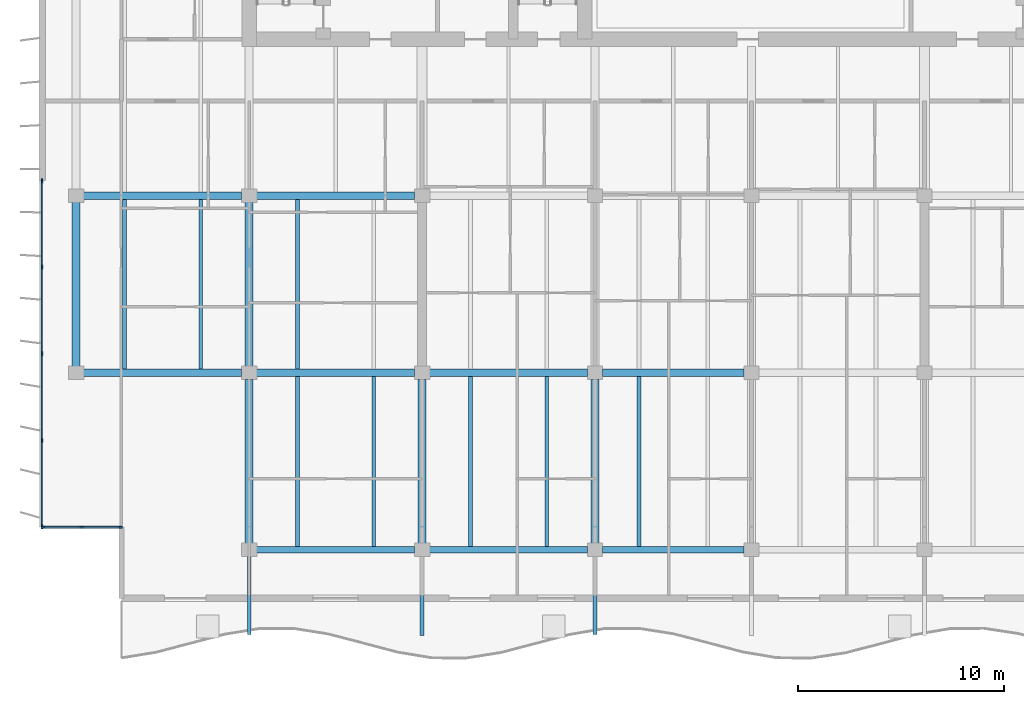
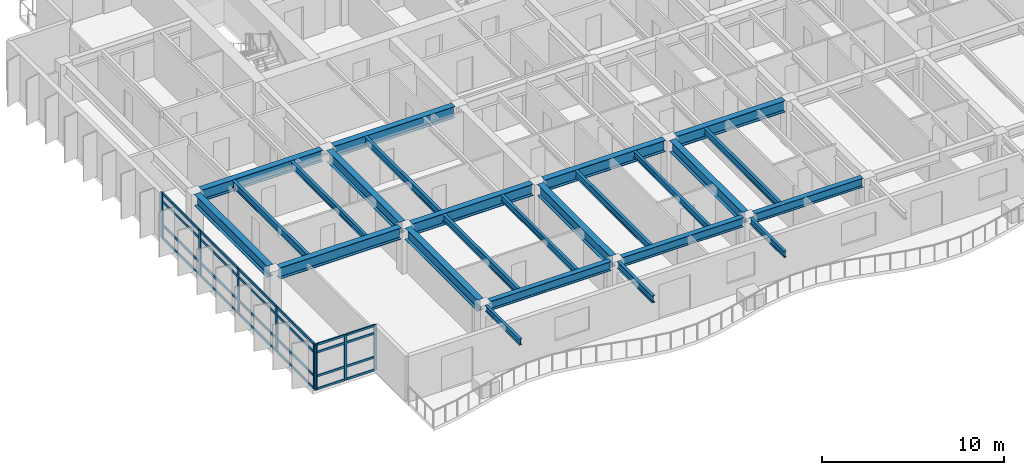
# One storey, part 2 of 17: 32 members, 25 beams, 2 elements without a shape of their own.
"""IFC4 building model written with IfcOpenShell, lengths in metres."""

from ifc_helpers import new_model, si_unit, direction, frame, origin, origin_2d, place, context, subcontext, project, spatial, rectangle, i_section, extrude, material, layer, layer_set, material_profile, profile_set, type_object, element, aggregate, save


model = new_model("IFC4")

# Units and contexts
model_context = context("Model", 3, precision=1e-05, world=origin(), true_north=direction((0.0, 1.0)))
body_context = subcontext(model_context, "Body", "Model", "MODEL_VIEW")
ifc_project = project(units=[si_unit("LENGTHUNIT", "METRE"), si_unit("AREAUNIT", "SQUARE_METRE"), si_unit("VOLUMEUNIT", "CUBIC_METRE"), si_unit("PLANEANGLEUNIT", "RADIAN"), si_unit("MASSUNIT", "GRAM", prefix="KILO")], contexts=[model_context])

# Site, building, storey
site_placement = place(None, origin())
site = spatial("IfcSite", under=ifc_project, at=site_placement, CompositionType="ELEMENT")
building_placement = place(site_placement, origin())
building = spatial("IfcBuilding", under=site, at=building_placement, Name="Caelmar Bay Residences", CompositionType="ELEMENT")
storey_placement = place(building_placement, frame((0.0, 0.0, 236.39990234375)))
storey = spatial("IfcBuildingStorey", under=building, at=storey_placement, Name="L66", CompositionType="ELEMENT", Elevation=236.39990234375)

# Beams
ifc_material_1 = material(Name="Steel ASTM A992 Grade 50", Category="steel")
ifc_material_profile_1 = material_profile(ifc_material_1, i_section(OverallWidth=0.177978515625, OverallDepth=0.406005859375, WebThickness=0.0078125, FlangeThickness=0.0126953125, FilletRadius=0.0087890625, at=origin_2d()), Name="W16X40")
ifc_profile_set_1 = profile_set([ifc_material_profile_1], Name="Steel ASTM A992 Grade 50")
beam_type_1 = type_object("IfcBeamType", Name="BM-BAL-W16X40", PredefinedType="JOIST", material=ifc_profile_set_1)
for number, where, z_axis, x_axis, name in (
    (1, (24.347900390625, 12.362548828125, 2.84716796875), (0.0, 1.0, 0.0), (-1.0, 0.0, 0.0), "L66 Composite Floor Joist 2"),
    (2, (32.748046875, 12.362548828125, 2.84716796875), (0.0, 1.0, 0.0), (-1.0, 0.0, 0.0), "L66 Composite Floor Joist 4"),
):
    element("IfcBeam", number, at=place(storey_placement, frame(where, z_axis=z_axis, x_axis=x_axis)), inside=storey, type_object=beam_type_1, Name=name, PredefinedType="JOIST", context=body_context, shape_type="SweptSolid", body=[
        extrude(i_section(OverallWidth=0.177978515625, OverallDepth=0.406005859375, WebThickness=0.0078125, FlangeThickness=0.0126953125, FilletRadius=0.0087890625, at=origin_2d()), origin(), (0.0, 0.0, 1.0), 8.2470703125),
    ])
beam_1_placement = place(storey_placement, frame((15.947998046875, 20.990478515625, 2.84716796875), z_axis=(0.0, 1.0, 0.0), x_axis=(-1.0, 0.0, 0.0)))
element("IfcBeam", 3, at=beam_1_placement, inside=storey, type_object=beam_type_1, Name="L66 Composite Floor Joist 12", PredefinedType="JOIST", context=body_context, shape_type="SweptSolid", body=[
    extrude(i_section(OverallWidth=0.177978515625, OverallDepth=0.406005859375, WebThickness=0.0078125, FlangeThickness=0.0126953125, FilletRadius=0.0087890625, at=origin_2d()), origin(), (0.0, 0.0, 1.0), 8.218994140625),
])
for number, where, z_axis, x_axis, name in (
    (4, (18.300048828125, 11.885009765625, 2.84716796875), (0.0, -1.0, 0.0), (1.0, 0.0, 0.0), "L67 South Balcony Cantilever Bracket 1"),
    (5, (35.10009765625, 11.885009765625, 2.84716796875), (0.0, -1.0, 0.0), (1.0, 0.0, 0.0), "L67 South Balcony Cantilever Bracket 3"),
):
    element("IfcBeam", number, at=place(storey_placement, frame(where, z_axis=z_axis, x_axis=x_axis)), inside=storey, type_object=beam_type_1, Name=name, PredefinedType="JOIST", context=body_context, shape_type="SweptSolid", body=[
        extrude(i_section(OverallWidth=0.177978515625, OverallDepth=0.406005859375, WebThickness=0.0078125, FlangeThickness=0.0126953125, FilletRadius=0.0087890625, at=origin_2d()), origin(), (0.0, 0.0, 1.0), 3.789794921875),
    ])
ifc_material_profile_2 = material_profile(ifc_material_1, i_section(OverallWidth=0.193115234375, OverallDepth=0.467041015625, WebThickness=0.011474609375, FlangeThickness=0.01904296875, FilletRadius=0.01025390625, at=origin_2d()), Name="W18X65")
ifc_profile_set_2 = profile_set([ifc_material_profile_2], Name="Steel ASTM A992 Grade 50")
beam_type_2 = type_object("IfcBeamType", Name="BM-BAL-W18X65", PredefinedType="BEAM", material=ifc_profile_set_2)
beam_2_placement = place(storey_placement, frame((26.699951171875, 11.885009765625, 2.816650390625), z_axis=(0.0, -1.0, 0.0), x_axis=(1.0, 0.0, 0.0)))
element("IfcBeam", 6, at=beam_2_placement, inside=storey, type_object=beam_type_2, Name="L67 South Balcony Cantilever Bracket 2", PredefinedType="BEAM", context=body_context, shape_type="SweptSolid", body=[
    extrude(i_section(OverallWidth=0.193115234375, OverallDepth=0.467041015625, WebThickness=0.011474609375, FlangeThickness=0.01904296875, FilletRadius=0.01025390625, at=origin_2d()), origin(), (0.0, 0.0, 1.0), 3.85009765625),
])
ifc_material_profile_3 = material_profile(ifc_material_1, i_section(OverallWidth=0.381103515625, OverallDepth=0.77197265625, WebThickness=0.0166015625, FlangeThickness=0.027099609375, FilletRadius=0.0166015625, at=origin_2d()), Name="W30X173")
ifc_profile_set_3 = profile_set([ifc_material_profile_3], Name="Steel ASTM A992 Grade 50")
beam_type_3 = type_object("IfcBeamType", Name="BM-GRD-W30X173", PredefinedType="BEAM", material=ifc_profile_set_3)
beam_3_placement = place(storey_placement, frame((10.264892578125, 20.800048828125, 2.6640625), z_axis=(1.0, 0.0, 0.0), x_axis=(0.0, 1.0, 0.0)))
element("IfcBeam", 7, at=beam_3_placement, inside=storey, type_object=beam_type_3, Name="L66 East-West Girder Y=20.80 (9.9-18.3)", PredefinedType="BEAM", context=body_context, shape_type="SweptSolid", body=[
    extrude(i_section(OverallWidth=0.381103515625, OverallDepth=0.77197265625, WebThickness=0.0166015625, FlangeThickness=0.027099609375, FilletRadius=0.0166015625, at=origin_2d()), origin(), (0.0, 0.0, 1.0), 7.670166015625),
])
beam_4_placement = place(storey_placement, frame((18.6650390625, 20.800048828125, 2.6640625), z_axis=(1.0, 0.0, 0.0), x_axis=(0.0, 1.0, 0.0)))
element("IfcBeam", 8, at=beam_4_placement, inside=storey, type_object=beam_type_3, Name="L66 East-West Girder Y=20.80 (18.3-26.7)", PredefinedType="BEAM", context=body_context, shape_type="SweptSolid", body=[
    extrude(i_section(OverallWidth=0.381103515625, OverallDepth=0.77197265625, WebThickness=0.0166015625, FlangeThickness=0.027099609375, FilletRadius=0.0166015625, at=origin_2d()), origin(), (0.0, 0.0, 1.0), 7.669921875),
])
beam_5_placement = place(storey_placement, frame((27.06494140625, 20.800048828125, 2.6640625), z_axis=(1.0, 0.0, 0.0), x_axis=(0.0, 1.0, 0.0)))
element("IfcBeam", 9, at=beam_5_placement, inside=storey, type_object=beam_type_3, Name="L66 East-West Girder Y=20.80 (26.7-35.1)", PredefinedType="BEAM", context=body_context, shape_type="SweptSolid", body=[
    extrude(i_section(OverallWidth=0.381103515625, OverallDepth=0.77197265625, WebThickness=0.0166015625, FlangeThickness=0.027099609375, FilletRadius=0.0166015625, at=origin_2d()), origin(), (0.0, 0.0, 1.0), 7.670166015625),
])
beam_6_placement = place(storey_placement, frame((35.465087890625, 20.800048828125, 2.6640625), z_axis=(1.0, 0.0, 0.0), x_axis=(0.0, 1.0, 0.0)))
element("IfcBeam", 10, at=beam_6_placement, inside=storey, type_object=beam_type_3, Name="L66 East-West Girder Y=20.80 (35.1-42.7)", PredefinedType="BEAM", context=body_context, shape_type="SweptSolid", body=[
    extrude(i_section(OverallWidth=0.381103515625, OverallDepth=0.77197265625, WebThickness=0.0166015625, FlangeThickness=0.027099609375, FilletRadius=0.0166015625, at=origin_2d()), origin(), (0.0, 0.0, 1.0), 6.869873046875),
])
beam_7_placement = place(storey_placement, frame((10.264892578125, 29.39990234375, 2.6640625), z_axis=(1.0, 0.0, 0.0), x_axis=(0.0, 1.0, 0.0)))
element("IfcBeam", 11, at=beam_7_placement, inside=storey, type_object=beam_type_3, Name="L66 East-West Girder Y=29.40 (9.9-18.3)", PredefinedType="BEAM", context=body_context, shape_type="SweptSolid", body=[
    extrude(i_section(OverallWidth=0.381103515625, OverallDepth=0.77197265625, WebThickness=0.0166015625, FlangeThickness=0.027099609375, FilletRadius=0.0166015625, at=origin_2d()), origin(), (0.0, 0.0, 1.0), 7.670166015625),
])
beam_8_placement = place(storey_placement, frame((18.6650390625, 29.39990234375, 2.6640625), z_axis=(1.0, 0.0, 0.0), x_axis=(0.0, 1.0, 0.0)))
element("IfcBeam", 12, at=beam_8_placement, inside=storey, type_object=beam_type_3, Name="L66 East-West Girder Y=29.40 (18.3-26.7)", PredefinedType="BEAM", context=body_context, shape_type="SweptSolid", body=[
    extrude(i_section(OverallWidth=0.381103515625, OverallDepth=0.77197265625, WebThickness=0.0166015625, FlangeThickness=0.027099609375, FilletRadius=0.0166015625, at=origin_2d()), origin(), (0.0, 0.0, 1.0), 7.669921875),
])
beam_9_placement = place(storey_placement, frame((9.89990234375, 21.114990234375, 2.6640625), z_axis=(0.0, 1.0, 0.0), x_axis=(-1.0, 0.0, 0.0)))
element("IfcBeam", 13, at=beam_9_placement, inside=storey, type_object=beam_type_3, Name="L66 North-South Girder X=9.90 (20.8-29.4)", PredefinedType="BEAM", context=body_context, shape_type="SweptSolid", body=[
    extrude(i_section(OverallWidth=0.381103515625, OverallDepth=0.77197265625, WebThickness=0.0166015625, FlangeThickness=0.027099609375, FilletRadius=0.0166015625, at=origin_2d()), origin(), (0.0, 0.0, 1.0), 7.969970703125),
])
beam_10_placement = place(storey_placement, frame((18.300048828125, 12.514892578125, 2.6640625), z_axis=(0.0, 1.0, 0.0), x_axis=(-1.0, 0.0, 0.0)))
element("IfcBeam", 14, at=beam_10_placement, inside=storey, type_object=beam_type_3, Name="L66 North-South Girder X=18.30 (12.2-20.8)", PredefinedType="BEAM", context=body_context, shape_type="SweptSolid", body=[
    extrude(i_section(OverallWidth=0.381103515625, OverallDepth=0.77197265625, WebThickness=0.0166015625, FlangeThickness=0.027099609375, FilletRadius=0.0166015625, at=origin_2d()), origin(), (0.0, 0.0, 1.0), 7.97021484375),
])
beam_11_placement = place(storey_placement, frame((18.300048828125, 21.114990234375, 2.6640625), z_axis=(0.0, 1.0, 0.0), x_axis=(-1.0, 0.0, 0.0)))
element("IfcBeam", 15, at=beam_11_placement, inside=storey, type_object=beam_type_3, Name="L66 North-South Girder X=18.30 (20.8-29.4)", PredefinedType="BEAM", context=body_context, shape_type="SweptSolid", body=[
    extrude(i_section(OverallWidth=0.381103515625, OverallDepth=0.77197265625, WebThickness=0.0166015625, FlangeThickness=0.027099609375, FilletRadius=0.0166015625, at=origin_2d()), origin(), (0.0, 0.0, 1.0), 7.969970703125),
])
for number, where, z_axis, x_axis, name in (
    (16, (26.699951171875, 12.514892578125, 2.6640625), (0.0, 1.0, 0.0), (-1.0, 0.0, 0.0), "L66 North-South Girder X=26.70 (12.2-20.8)"),
    (17, (35.10009765625, 12.514892578125, 2.6640625), (0.0, 1.0, 0.0), (-1.0, 0.0, 0.0), "L66 North-South Girder X=35.10 (12.2-20.8)"),
):
    element("IfcBeam", number, at=place(storey_placement, frame(where, z_axis=z_axis, x_axis=x_axis)), inside=storey, type_object=beam_type_3, Name=name, PredefinedType="BEAM", context=body_context, shape_type="SweptSolid", body=[
        extrude(i_section(OverallWidth=0.381103515625, OverallDepth=0.77197265625, WebThickness=0.0166015625, FlangeThickness=0.027099609375, FilletRadius=0.0166015625, at=origin_2d()), origin(), (0.0, 0.0, 1.0), 7.97021484375),
    ])
ifc_material_profile_4 = material_profile(ifc_material_1, i_section(OverallWidth=0.19091796875, OverallDepth=0.45703125, WebThickness=0.009033203125, FlangeThickness=0.014404296875, FilletRadius=0.01025390625, at=origin_2d()), Name="W18X50")
ifc_profile_set_4 = profile_set([ifc_material_profile_4], Name="Steel ASTM A992 Grade 50")
beam_type_4 = type_object("IfcBeamType", Name="BM-JST-W18X50", PredefinedType="JOIST", material=ifc_profile_set_4)
for number, where, z_axis, x_axis, name in (
    (18, (20.652099609375, 12.362548828125, 2.821533203125), (0.0, 1.0, 0.0), (-1.0, 0.0, 0.0), "L66 Composite Floor Joist 1"),
    (19, (29.052001953125, 12.362548828125, 2.821533203125), (0.0, 1.0, 0.0), (-1.0, 0.0, 0.0), "L66 Composite Floor Joist 3"),
    (20, (37.22802734375, 12.362548828125, 2.821533203125), (0.0, 1.0, 0.0), (-1.0, 0.0, 0.0), "L66 Composite Floor Joist 5"),
):
    element("IfcBeam", number, at=place(storey_placement, frame(where, z_axis=z_axis, x_axis=x_axis)), inside=storey, type_object=beam_type_4, Name=name, PredefinedType="JOIST", context=body_context, shape_type="SweptSolid", body=[
        extrude(i_section(OverallWidth=0.19091796875, OverallDepth=0.45703125, WebThickness=0.009033203125, FlangeThickness=0.014404296875, FilletRadius=0.01025390625, at=origin_2d()), origin(), (0.0, 0.0, 1.0), 8.2470703125),
    ])
for number, where, z_axis, x_axis, name in (
    (21, (12.251953125, 20.990478515625, 2.821533203125), (0.0, 1.0, 0.0), (-1.0, 0.0, 0.0), "L66 Composite Floor Joist 11"),
    (22, (20.652099609375, 20.990478515625, 2.821533203125), (0.0, 1.0, 0.0), (-1.0, 0.0, 0.0), "L66 Composite Floor Joist 13"),
):
    element("IfcBeam", number, at=place(storey_placement, frame(where, z_axis=z_axis, x_axis=x_axis)), inside=storey, type_object=beam_type_4, Name=name, PredefinedType="JOIST", context=body_context, shape_type="SweptSolid", body=[
        extrude(i_section(OverallWidth=0.19091796875, OverallDepth=0.45703125, WebThickness=0.009033203125, FlangeThickness=0.014404296875, FilletRadius=0.01025390625, at=origin_2d()), origin(), (0.0, 0.0, 1.0), 8.218994140625),
    ])
ifc_material_profile_5 = material_profile(ifc_material_1, i_section(OverallWidth=0.324951171875, OverallDepth=0.616943359375, WebThickness=0.013916015625, FlangeThickness=0.021484375, FilletRadius=0.0126953125, at=origin_2d()), Name="W24X117")
ifc_profile_set_5 = profile_set([ifc_material_profile_5], Name="Steel ASTM A992 Grade 50")
beam_type_5 = type_object("IfcBeamType", Name="BM-SPN-W24X117", PredefinedType="SPANDREL", material=ifc_profile_set_5)
beam_12_placement = place(storey_placement, frame((18.6650390625, 12.199951171875, 2.74169921875), z_axis=(1.0, 0.0, 0.0), x_axis=(0.0, 1.0, 0.0)))
element("IfcBeam", 23, at=beam_12_placement, inside=storey, type_object=beam_type_5, Name="L66 East-West Girder Y=12.20 (18.3-26.7)", PredefinedType="SPANDREL", context=body_context, shape_type="SweptSolid", body=[
    extrude(i_section(OverallWidth=0.324951171875, OverallDepth=0.616943359375, WebThickness=0.013916015625, FlangeThickness=0.021484375, FilletRadius=0.0126953125, at=origin_2d()), origin(), (0.0, 0.0, 1.0), 7.669921875),
])
beam_13_placement = place(storey_placement, frame((27.06494140625, 12.199951171875, 2.74169921875), z_axis=(1.0, 0.0, 0.0), x_axis=(0.0, 1.0, 0.0)))
element("IfcBeam", 24, at=beam_13_placement, inside=storey, type_object=beam_type_5, Name="L66 East-West Girder Y=12.20 (26.7-35.1)", PredefinedType="SPANDREL", context=body_context, shape_type="SweptSolid", body=[
    extrude(i_section(OverallWidth=0.324951171875, OverallDepth=0.616943359375, WebThickness=0.013916015625, FlangeThickness=0.021484375, FilletRadius=0.0126953125, at=origin_2d()), origin(), (0.0, 0.0, 1.0), 7.670166015625),
])
beam_14_placement = place(storey_placement, frame((35.465087890625, 12.199951171875, 2.74169921875), z_axis=(1.0, 0.0, 0.0), x_axis=(0.0, 1.0, 0.0)))
element("IfcBeam", 25, at=beam_14_placement, inside=storey, type_object=beam_type_5, Name="L66 East-West Girder Y=12.20 (35.1-42.7)", PredefinedType="SPANDREL", context=body_context, shape_type="SweptSolid", body=[
    extrude(i_section(OverallWidth=0.324951171875, OverallDepth=0.616943359375, WebThickness=0.013916015625, FlangeThickness=0.021484375, FilletRadius=0.0126953125, at=origin_2d()), origin(), (0.0, 0.0, 1.0), 6.869873046875),
])

# Curtain wall, members
ifc_material_2 = material(Name="Anodised bronze aluminium 6063-T6 and laminated glass", Category="aluminium")
ifc_layer_1 = layer(ifc_material_2, 0.179931640625)
ifc_layer_set_1 = layer_set([ifc_layer_1], Name="Anodised bronze aluminium 6063-T6 and laminated glass")
curtain_wall_type_1 = type_object("IfcCurtainWallType", Name="CW6-NTC", PredefinedType="NOTDEFINED", material=ifc_layer_set_1)
curtain_wall_1_placement = place(storey_placement, origin())
curtain_wall_1 = element("IfcCurtainWall", 26, at=curtain_wall_1_placement, inside=storey, type_object=curtain_wall_type_1, Name="CW6 curtain wall L66", PredefinedType="NOTDEFINED")
ifc_material_3 = material(Name="Anodised bronze aluminium 6063-T6", Category="aluminium")
ifc_material_profile_6 = material_profile(ifc_material_3, rectangle(XDim=0.080078125, YDim=0.179931640625, at=origin_2d()), Name="CWM-80X180")
ifc_profile_set_6 = profile_set([ifc_material_profile_6], Name="Anodised bronze aluminium 6063-T6")
member_type_1 = type_object("IfcMemberType", Name="CWM-180", PredefinedType="MULLION", material=ifc_profile_set_6)
member_1_placement = place(storey_placement, frame((8.2900390625, 13.300048828125, 0.0), z_axis=(0.0, 0.0, 1.0), x_axis=(0.0, 1.0, 0.0)))
member_1 = element("IfcMember", 27, at=member_1_placement, type_object=member_type_1, Name="CW6 mullion 1", PredefinedType="MULLION", context=body_context, shape_type="SweptSolid", body=[
    extrude(rectangle(XDim=0.080078125, YDim=0.179931640625, at=origin_2d()), origin(), (0.0, 0.0, 1.0), 3.050048828125),
])
member_2_placement = place(storey_placement, frame((10.175048828125, 13.300048828125, 0.0), z_axis=(0.0, 0.0, 1.0), x_axis=(0.0, 1.0, 0.0)))
member_2 = element("IfcMember", 28, at=member_2_placement, type_object=member_type_1, Name="CW6 mullion 2", PredefinedType="MULLION", context=body_context, shape_type="SweptSolid", body=[
    extrude(rectangle(XDim=0.080078125, YDim=0.179931640625, at=origin_2d()), origin(), (0.0, 0.0, 1.0), 3.050048828125),
])
member_3_placement = place(storey_placement, frame((12.06005859375, 13.300048828125, 0.0), z_axis=(0.0, 0.0, 1.0), x_axis=(0.0, 1.0, 0.0)))
member_3 = element("IfcMember", 29, at=member_3_placement, type_object=member_type_1, Name="CW6 mullion 3", PredefinedType="MULLION", context=body_context, shape_type="SweptSolid", body=[
    extrude(rectangle(XDim=0.080078125, YDim=0.179931640625, at=origin_2d()), origin(), (0.0, 0.0, 1.0), 3.050048828125),
])

ifc_layer_2 = layer(ifc_material_2, 0.179931640625)
ifc_layer_set_2 = layer_set([ifc_layer_2], Name="Anodised bronze aluminium 6063-T6 and laminated glass")
curtain_wall_type_2 = type_object("IfcCurtainWallType", Name="CW5-Z4", PredefinedType="NOTDEFINED", material=ifc_layer_set_2)
curtain_wall_2_placement = place(storey_placement, origin())
curtain_wall_2 = element("IfcCurtainWall", 30, at=curtain_wall_2_placement, inside=storey, type_object=curtain_wall_type_2, Name="CW5 curtain wall L66", PredefinedType="NOTDEFINED")
ifc_material_profile_7 = material_profile(ifc_material_3, rectangle(XDim=0.080078125, YDim=0.219970703125, at=origin_2d()), Name="CWM-80X220")
ifc_profile_set_7 = profile_set([ifc_material_profile_7], Name="Anodised bronze aluminium 6063-T6")
member_type_2 = type_object("IfcMemberType", Name="CWM-220", PredefinedType="MULLION", material=ifc_profile_set_7)
member_4_placement = place(storey_placement, frame((8.25, 13.340087890625, 0.0), z_axis=(0.0, 0.0, 1.0), x_axis=(-1.0, 0.0, 0.0)))
member_4 = element("IfcMember", 31, at=member_4_placement, type_object=member_type_2, Name="CW5 mullion 1", PredefinedType="MULLION", context=body_context, shape_type="SweptSolid", body=[
    extrude(rectangle(XDim=0.080078125, YDim=0.219970703125, at=origin_2d()), origin(), (0.0, 0.0, 1.0), 3.050048828125),
])
member_5_placement = place(storey_placement, frame((8.25, 17.512451171875, 0.0), z_axis=(0.0, 0.0, 1.0), x_axis=(-1.0, 0.0, 0.0)))
member_5 = element("IfcMember", 32, at=member_5_placement, type_object=member_type_2, Name="CW5 mullion 2", PredefinedType="MULLION", context=body_context, shape_type="SweptSolid", body=[
    extrude(rectangle(XDim=0.080078125, YDim=0.219970703125, at=origin_2d()), origin(), (0.0, 0.0, 1.0), 3.050048828125),
])
member_6_placement = place(storey_placement, frame((8.25, 21.72509765625, 0.0), z_axis=(0.0, 0.0, 1.0), x_axis=(-1.0, 0.0, 0.0)))
member_6 = element("IfcMember", 33, at=member_6_placement, type_object=member_type_2, Name="CW5 mullion 3", PredefinedType="MULLION", context=body_context, shape_type="SweptSolid", body=[
    extrude(rectangle(XDim=0.080078125, YDim=0.219970703125, at=origin_2d()), origin(), (0.0, 0.0, 1.0), 3.050048828125),
])
member_7_placement = place(storey_placement, frame((8.25, 25.9375, 0.0), z_axis=(0.0, 0.0, 1.0), x_axis=(-1.0, 0.0, 0.0)))
member_7 = element("IfcMember", 34, at=member_7_placement, type_object=member_type_2, Name="CW5 mullion 4", PredefinedType="MULLION", context=body_context, shape_type="SweptSolid", body=[
    extrude(rectangle(XDim=0.080078125, YDim=0.219970703125, at=origin_2d()), origin(), (0.0, 0.0, 1.0), 3.050048828125),
])
member_8_placement = place(storey_placement, frame((8.25, 30.110107421875, 0.0), z_axis=(0.0, 0.0, 1.0), x_axis=(-1.0, 0.0, 0.0)))
member_8 = element("IfcMember", 35, at=member_8_placement, type_object=member_type_2, Name="CW5 mullion 5", PredefinedType="MULLION", context=body_context, shape_type="SweptSolid", body=[
    extrude(rectangle(XDim=0.080078125, YDim=0.219970703125, at=origin_2d()), origin(), (0.0, 0.0, 1.0), 3.050048828125),
])

# Member
ifc_material_profile_8 = material_profile(ifc_material_3, rectangle(XDim=0.080078125, YDim=0.139892578125, at=origin_2d()), Name="CWT-80X140")
ifc_profile_set_8 = profile_set([ifc_material_profile_8], Name="Anodised bronze aluminium 6063-T6")
member_type_3 = type_object("IfcMemberType", Name="CWT-140", PredefinedType="NOTDEFINED", material=ifc_profile_set_8)
member_9_placement = place(storey_placement, frame((8.330078125, 13.300048828125, 0.0400390625), z_axis=(1.0, 0.0, 0.0), x_axis=(0.0, 1.0, 0.0)))
member_9 = element("IfcMember", 36, at=member_9_placement, type_object=member_type_3, Name="CW6 transom 1.1", ObjectType="TRANSOM", PredefinedType="USERDEFINED", context=body_context, shape_type="SweptSolid", body=[
    extrude(rectangle(XDim=0.080078125, YDim=0.139892578125, at=origin_2d()), origin(), (0.0, 0.0, 1.0), 1.804931640625),
])

member_10_placement = place(storey_placement, frame((8.330078125, 13.300048828125, 0.900146484375), z_axis=(1.0, 0.0, 0.0), x_axis=(0.0, 1.0, 0.0)))
member_10 = element("IfcMember", 37, at=member_10_placement, type_object=member_type_3, Name="CW6 transom 1.2", ObjectType="TRANSOM", PredefinedType="USERDEFINED", context=body_context, shape_type="SweptSolid", body=[
    extrude(rectangle(XDim=0.080078125, YDim=0.139892578125, at=origin_2d()), origin(), (0.0, 0.0, 1.0), 1.804931640625),
])

member_11_placement = place(storey_placement, frame((8.330078125, 13.300048828125, 2.5), z_axis=(1.0, 0.0, 0.0), x_axis=(0.0, 1.0, 0.0)))
member_11 = element("IfcMember", 38, at=member_11_placement, type_object=member_type_3, Name="CW6 transom 1.3", ObjectType="TRANSOM", PredefinedType="USERDEFINED", context=body_context, shape_type="SweptSolid", body=[
    extrude(rectangle(XDim=0.080078125, YDim=0.139892578125, at=origin_2d()), origin(), (0.0, 0.0, 1.0), 1.804931640625),
])

member_12_placement = place(storey_placement, frame((8.330078125, 13.300048828125, 3.010009765625), z_axis=(1.0, 0.0, 0.0), x_axis=(0.0, 1.0, 0.0)))
member_12 = element("IfcMember", 39, at=member_12_placement, type_object=member_type_3, Name="CW6 transom 1.4", ObjectType="TRANSOM", PredefinedType="USERDEFINED", context=body_context, shape_type="SweptSolid", body=[
    extrude(rectangle(XDim=0.080078125, YDim=0.139892578125, at=origin_2d()), origin(), (0.0, 0.0, 1.0), 1.804931640625),
])

member_13_placement = place(storey_placement, frame((10.215087890625, 13.300048828125, 0.0400390625), z_axis=(1.0, 0.0, 0.0), x_axis=(0.0, 1.0, 0.0)))
member_13 = element("IfcMember", 40, at=member_13_placement, type_object=member_type_3, Name="CW6 transom 2.1", ObjectType="TRANSOM", PredefinedType="USERDEFINED", context=body_context, shape_type="SweptSolid", body=[
    extrude(rectangle(XDim=0.080078125, YDim=0.139892578125, at=origin_2d()), origin(), (0.0, 0.0, 1.0), 1.804931640625),
])

member_14_placement = place(storey_placement, frame((10.215087890625, 13.300048828125, 0.900146484375), z_axis=(1.0, 0.0, 0.0), x_axis=(0.0, 1.0, 0.0)))
member_14 = element("IfcMember", 41, at=member_14_placement, type_object=member_type_3, Name="CW6 transom 2.2", ObjectType="TRANSOM", PredefinedType="USERDEFINED", context=body_context, shape_type="SweptSolid", body=[
    extrude(rectangle(XDim=0.080078125, YDim=0.139892578125, at=origin_2d()), origin(), (0.0, 0.0, 1.0), 1.804931640625),
])

member_15_placement = place(storey_placement, frame((10.215087890625, 13.300048828125, 2.5), z_axis=(1.0, 0.0, 0.0), x_axis=(0.0, 1.0, 0.0)))
member_15 = element("IfcMember", 42, at=member_15_placement, type_object=member_type_3, Name="CW6 transom 2.3", ObjectType="TRANSOM", PredefinedType="USERDEFINED", context=body_context, shape_type="SweptSolid", body=[
    extrude(rectangle(XDim=0.080078125, YDim=0.139892578125, at=origin_2d()), origin(), (0.0, 0.0, 1.0), 1.804931640625),
])

member_16_placement = place(storey_placement, frame((10.215087890625, 13.300048828125, 3.010009765625), z_axis=(1.0, 0.0, 0.0), x_axis=(0.0, 1.0, 0.0)))
member_16 = element("IfcMember", 43, at=member_16_placement, type_object=member_type_3, Name="CW6 transom 2.4", ObjectType="TRANSOM", PredefinedType="USERDEFINED", context=body_context, shape_type="SweptSolid", body=[
    extrude(rectangle(XDim=0.080078125, YDim=0.139892578125, at=origin_2d()), origin(), (0.0, 0.0, 1.0), 1.804931640625),
])

aggregate(curtain_wall_1, [member_1, member_2, member_3, member_9, member_10, member_11, member_12, member_13, member_14, member_15, member_16])

ifc_material_profile_9 = material_profile(ifc_material_3, rectangle(XDim=0.080078125, YDim=0.159912109375, at=origin_2d()), Name="CWT-80X160")
ifc_profile_set_9 = profile_set([ifc_material_profile_9], Name="Anodised bronze aluminium 6063-T6")
member_type_4 = type_object("IfcMemberType", Name="CWT-160", PredefinedType="NOTDEFINED", material=ifc_profile_set_9)
member_17_placement = place(storey_placement, frame((8.25, 13.3798828125, 0.0400390625), z_axis=(0.0, 1.0, 0.0), x_axis=(-1.0, 0.0, 0.0)))
member_17 = element("IfcMember", 44, at=member_17_placement, type_object=member_type_4, Name="CW5 transom 1.1", ObjectType="TRANSOM", PredefinedType="USERDEFINED", context=body_context, shape_type="SweptSolid", body=[
    extrude(rectangle(XDim=0.080078125, YDim=0.159912109375, at=origin_2d()), origin(), (0.0, 0.0, 1.0), 4.092529296875),
])

member_18_placement = place(storey_placement, frame((8.25, 13.3798828125, 0.900146484375), z_axis=(0.0, 1.0, 0.0), x_axis=(-1.0, 0.0, 0.0)))
member_18 = element("IfcMember", 45, at=member_18_placement, type_object=member_type_4, Name="CW5 transom 1.2", ObjectType="TRANSOM", PredefinedType="USERDEFINED", context=body_context, shape_type="SweptSolid", body=[
    extrude(rectangle(XDim=0.080078125, YDim=0.159912109375, at=origin_2d()), origin(), (0.0, 0.0, 1.0), 4.092529296875),
])

member_19_placement = place(storey_placement, frame((8.25, 13.3798828125, 2.5), z_axis=(0.0, 1.0, 0.0), x_axis=(-1.0, 0.0, 0.0)))
member_19 = element("IfcMember", 46, at=member_19_placement, type_object=member_type_4, Name="CW5 transom 1.3", ObjectType="TRANSOM", PredefinedType="USERDEFINED", context=body_context, shape_type="SweptSolid", body=[
    extrude(rectangle(XDim=0.080078125, YDim=0.159912109375, at=origin_2d()), origin(), (0.0, 0.0, 1.0), 4.092529296875),
])

member_20_placement = place(storey_placement, frame((8.25, 13.3798828125, 3.010009765625), z_axis=(0.0, 1.0, 0.0), x_axis=(-1.0, 0.0, 0.0)))
member_20 = element("IfcMember", 47, at=member_20_placement, type_object=member_type_4, Name="CW5 transom 1.4", ObjectType="TRANSOM", PredefinedType="USERDEFINED", context=body_context, shape_type="SweptSolid", body=[
    extrude(rectangle(XDim=0.080078125, YDim=0.159912109375, at=origin_2d()), origin(), (0.0, 0.0, 1.0), 4.092529296875),
])

member_21_placement = place(storey_placement, frame((8.25, 17.552490234375, 0.0400390625), z_axis=(0.0, 1.0, 0.0), x_axis=(-1.0, 0.0, 0.0)))
member_21 = element("IfcMember", 48, at=member_21_placement, type_object=member_type_4, Name="CW5 transom 2.1", ObjectType="TRANSOM", PredefinedType="USERDEFINED", context=body_context, shape_type="SweptSolid", body=[
    extrude(rectangle(XDim=0.080078125, YDim=0.159912109375, at=origin_2d()), origin(), (0.0, 0.0, 1.0), 4.132568359375),
])

member_22_placement = place(storey_placement, frame((8.25, 17.552490234375, 0.900146484375), z_axis=(0.0, 1.0, 0.0), x_axis=(-1.0, 0.0, 0.0)))
member_22 = element("IfcMember", 49, at=member_22_placement, type_object=member_type_4, Name="CW5 transom 2.2", ObjectType="TRANSOM", PredefinedType="USERDEFINED", context=body_context, shape_type="SweptSolid", body=[
    extrude(rectangle(XDim=0.080078125, YDim=0.159912109375, at=origin_2d()), origin(), (0.0, 0.0, 1.0), 4.132568359375),
])

member_23_placement = place(storey_placement, frame((8.25, 17.552490234375, 2.5), z_axis=(0.0, 1.0, 0.0), x_axis=(-1.0, 0.0, 0.0)))
member_23 = element("IfcMember", 50, at=member_23_placement, type_object=member_type_4, Name="CW5 transom 2.3", ObjectType="TRANSOM", PredefinedType="USERDEFINED", context=body_context, shape_type="SweptSolid", body=[
    extrude(rectangle(XDim=0.080078125, YDim=0.159912109375, at=origin_2d()), origin(), (0.0, 0.0, 1.0), 4.132568359375),
])

member_24_placement = place(storey_placement, frame((8.25, 17.552490234375, 3.010009765625), z_axis=(0.0, 1.0, 0.0), x_axis=(-1.0, 0.0, 0.0)))
member_24 = element("IfcMember", 51, at=member_24_placement, type_object=member_type_4, Name="CW5 transom 2.4", ObjectType="TRANSOM", PredefinedType="USERDEFINED", context=body_context, shape_type="SweptSolid", body=[
    extrude(rectangle(XDim=0.080078125, YDim=0.159912109375, at=origin_2d()), origin(), (0.0, 0.0, 1.0), 4.132568359375),
])

member_25_placement = place(storey_placement, frame((8.25, 21.764892578125, 0.0400390625), z_axis=(0.0, 1.0, 0.0), x_axis=(-1.0, 0.0, 0.0)))
member_25 = element("IfcMember", 52, at=member_25_placement, type_object=member_type_4, Name="CW5 transom 3.1", ObjectType="TRANSOM", PredefinedType="USERDEFINED", context=body_context, shape_type="SweptSolid", body=[
    extrude(rectangle(XDim=0.080078125, YDim=0.159912109375, at=origin_2d()), origin(), (0.0, 0.0, 1.0), 4.132568359375),
])

member_26_placement = place(storey_placement, frame((8.25, 21.764892578125, 0.900146484375), z_axis=(0.0, 1.0, 0.0), x_axis=(-1.0, 0.0, 0.0)))
member_26 = element("IfcMember", 53, at=member_26_placement, type_object=member_type_4, Name="CW5 transom 3.2", ObjectType="TRANSOM", PredefinedType="USERDEFINED", context=body_context, shape_type="SweptSolid", body=[
    extrude(rectangle(XDim=0.080078125, YDim=0.159912109375, at=origin_2d()), origin(), (0.0, 0.0, 1.0), 4.132568359375),
])

member_27_placement = place(storey_placement, frame((8.25, 21.764892578125, 2.5), z_axis=(0.0, 1.0, 0.0), x_axis=(-1.0, 0.0, 0.0)))
member_27 = element("IfcMember", 54, at=member_27_placement, type_object=member_type_4, Name="CW5 transom 3.3", ObjectType="TRANSOM", PredefinedType="USERDEFINED", context=body_context, shape_type="SweptSolid", body=[
    extrude(rectangle(XDim=0.080078125, YDim=0.159912109375, at=origin_2d()), origin(), (0.0, 0.0, 1.0), 4.132568359375),
])

member_28_placement = place(storey_placement, frame((8.25, 21.764892578125, 3.010009765625), z_axis=(0.0, 1.0, 0.0), x_axis=(-1.0, 0.0, 0.0)))
member_28 = element("IfcMember", 55, at=member_28_placement, type_object=member_type_4, Name="CW5 transom 3.4", ObjectType="TRANSOM", PredefinedType="USERDEFINED", context=body_context, shape_type="SweptSolid", body=[
    extrude(rectangle(XDim=0.080078125, YDim=0.159912109375, at=origin_2d()), origin(), (0.0, 0.0, 1.0), 4.132568359375),
])

member_29_placement = place(storey_placement, frame((8.25, 25.9775390625, 0.0400390625), z_axis=(0.0, 1.0, 0.0), x_axis=(-1.0, 0.0, 0.0)))
member_29 = element("IfcMember", 56, at=member_29_placement, type_object=member_type_4, Name="CW5 transom 4.1", ObjectType="TRANSOM", PredefinedType="USERDEFINED", context=body_context, shape_type="SweptSolid", body=[
    extrude(rectangle(XDim=0.080078125, YDim=0.159912109375, at=origin_2d()), origin(), (0.0, 0.0, 1.0), 4.092529296875),
])

member_30_placement = place(storey_placement, frame((8.25, 25.9775390625, 0.900146484375), z_axis=(0.0, 1.0, 0.0), x_axis=(-1.0, 0.0, 0.0)))
member_30 = element("IfcMember", 57, at=member_30_placement, type_object=member_type_4, Name="CW5 transom 4.2", ObjectType="TRANSOM", PredefinedType="USERDEFINED", context=body_context, shape_type="SweptSolid", body=[
    extrude(rectangle(XDim=0.080078125, YDim=0.159912109375, at=origin_2d()), origin(), (0.0, 0.0, 1.0), 4.092529296875),
])

member_31_placement = place(storey_placement, frame((8.25, 25.9775390625, 2.5), z_axis=(0.0, 1.0, 0.0), x_axis=(-1.0, 0.0, 0.0)))
member_31 = element("IfcMember", 58, at=member_31_placement, type_object=member_type_4, Name="CW5 transom 4.3", ObjectType="TRANSOM", PredefinedType="USERDEFINED", context=body_context, shape_type="SweptSolid", body=[
    extrude(rectangle(XDim=0.080078125, YDim=0.159912109375, at=origin_2d()), origin(), (0.0, 0.0, 1.0), 4.092529296875),
])

member_32_placement = place(storey_placement, frame((8.25, 25.9775390625, 3.010009765625), z_axis=(0.0, 1.0, 0.0), x_axis=(-1.0, 0.0, 0.0)))
member_32 = element("IfcMember", 59, at=member_32_placement, type_object=member_type_4, Name="CW5 transom 4.4", ObjectType="TRANSOM", PredefinedType="USERDEFINED", context=body_context, shape_type="SweptSolid", body=[
    extrude(rectangle(XDim=0.080078125, YDim=0.159912109375, at=origin_2d()), origin(), (0.0, 0.0, 1.0), 4.092529296875),
])

aggregate(curtain_wall_2, [member_4, member_5, member_6, member_7, member_8, member_17, member_18, member_19, member_20, member_21, member_22, member_23, member_24, member_25, member_26, member_27, member_28, member_29, member_30, member_31, member_32])

save(model, "model.ifc")
